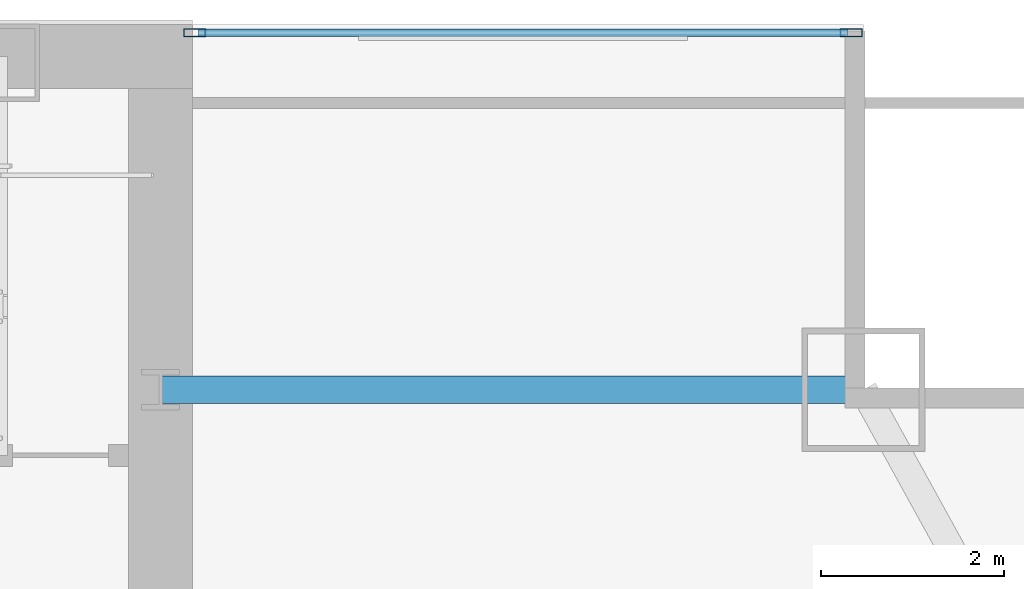
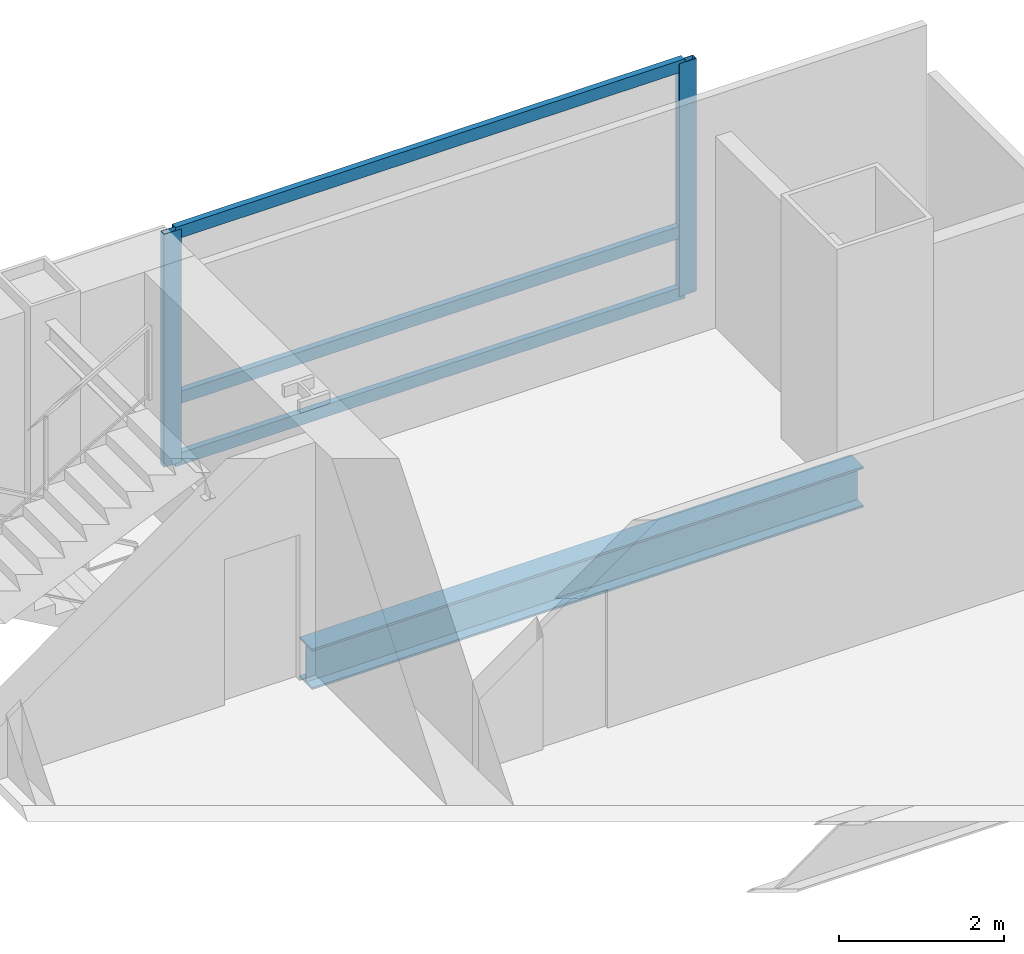
# One storey, part 20 of 29: 5 members, 1 beam, 1 element without a shape of its own.
"""IFC4 building model written with IfcOpenShell, lengths in metres."""

from ifc_helpers import new_model, si_unit, direction, frame, origin, origin_2d, place, context, subcontext, project, spatial, hollow_rectangle, i_section, extrude, material, material_profile, profile_set, type_object, element, aggregate, save


model = new_model("IFC4")

# Units and contexts
model_context = context("Model", 3, precision=1e-05, world=origin(), true_north=direction((0.0, 1.0)))
body_context = subcontext(model_context, "Body", "Model", "MODEL_VIEW")
ifc_project = project(units=[si_unit("LENGTHUNIT", "METRE"), si_unit("AREAUNIT", "SQUARE_METRE"), si_unit("VOLUMEUNIT", "CUBIC_METRE"), si_unit("PLANEANGLEUNIT", "RADIAN"), si_unit("MASSUNIT", "GRAM", prefix="KILO")], contexts=[model_context])

# Site, building, storey
site_placement = place(None, origin())
site = spatial("IfcSite", under=ifc_project, at=site_placement, CompositionType="ELEMENT")
building_placement = place(site_placement, origin())
building = spatial("IfcBuilding", under=site, at=building_placement, Name="Khoronbel Lancet Exchange", CompositionType="ELEMENT")
storey_placement = place(building_placement, frame((0.0, 0.0, 165.0)))
storey = spatial("IfcBuildingStorey", under=building, at=storey_placement, Name="L41", CompositionType="ELEMENT", Elevation=165.0)

# Beam
ifc_material_1 = material(Name="Steel S355", Category="steel")
ifc_material_profile_1 = material_profile(ifc_material_1, i_section(OverallWidth=0.300048828125, OverallDepth=0.60009765625, WebThickness=0.015380859375, FlangeThickness=0.030029296875, at=origin_2d()), Name="HEB 600")
ifc_profile_set_1 = profile_set([ifc_material_profile_1], Name="Steel S355")
beam_type = type_object("IfcBeamType", Name="BM-BSP2", PredefinedType="SPANDREL", material=ifc_profile_set_1)
beam_placement = place(storey_placement, frame((64.050048828125, 49.699951171875, -0.4599609375), z_axis=(-1.0, 0.0, 0.0), x_axis=(0.0, -1.0, 0.0)))
element("IfcBeam", 1, at=beam_placement, inside=storey, type_object=beam_type, Name="Level L41 north flank tie spandrel SP23", PredefinedType="SPANDREL", context=body_context, shape_type="SweptSolid", body=[
    extrude(i_section(OverallWidth=0.300048828125, OverallDepth=0.60009765625, WebThickness=0.015380859375, FlangeThickness=0.030029296875, at=origin_2d()), origin(), (0.0, 0.0, 1.0), 7.699951171875),
])

# Curtain wall, members
ifc_material_2 = material(Name="Low-E Solar Control Insulating Glass", Category="glass")
curtain_wall_type = type_object("IfcCurtainWallType", Name="CW-3", PredefinedType="NOTDEFINED", material=ifc_material_2)
curtain_wall_placement = place(storey_placement, origin())
curtain_wall = element("IfcCurtainWall", 2, at=curtain_wall_placement, inside=storey, type_object=curtain_wall_type, Name="Unitised curtain wall CW-L41-NEFLK", PredefinedType="NOTDEFINED")
ifc_material_3 = material(Name="Bronze-Anodised Aluminium 6063-T6", Category="aluminium")
ifc_material_profile_2 = material_profile(ifc_material_3, hollow_rectangle(XDim=0.0849609375, YDim=0.239990234375, WallThickness=0.006103515625, at=origin_2d()), Name="ALU MULLION 85x240")
ifc_profile_set_2 = profile_set([ifc_material_profile_2], Name="Bronze-Anodised Aluminium 6063-T6")
member_type_1 = type_object("IfcMemberType", Name="MEM-CWM1", PredefinedType="MULLION", material=ifc_profile_set_2)
member_1_placement = place(storey_placement, frame((63.91748046875, 53.610107421875, 0.0), z_axis=(0.0, 0.0, 1.0), x_axis=(0.0, -1.0, 0.0)))
member_1 = element("IfcMember", 3, at=member_1_placement, type_object=member_type_1, Name="CW3 mullion 1", PredefinedType="MULLION", context=body_context, shape_type="SweptSolid", body=[
    extrude(hollow_rectangle(XDim=0.0849609375, YDim=0.239990234375, WallThickness=0.006103515625, at=origin_2d()), origin(), (0.0, 0.0, 1.0), 3.43994140625),
])
member_2_placement = place(storey_placement, frame((56.722412109375, 53.610107421875, 0.0), z_axis=(0.0, 0.0, 1.0), x_axis=(0.0, -1.0, 0.0)))
member_2 = element("IfcMember", 4, at=member_2_placement, type_object=member_type_1, Name="CW3 mullion 2", PredefinedType="MULLION", context=body_context, shape_type="SweptSolid", body=[
    extrude(hollow_rectangle(XDim=0.0849609375, YDim=0.239990234375, WallThickness=0.006103515625, at=origin_2d()), origin(), (0.0, 0.0, 1.0), 3.43994140625),
])
ifc_material_profile_3 = material_profile(ifc_material_3, hollow_rectangle(XDim=0.0849609375, YDim=0.179931640625, WallThickness=0.0048828125, at=origin_2d()), Name="ALU TRANSOM 85x180")
ifc_profile_set_3 = profile_set([ifc_material_profile_3], Name="Bronze-Anodised Aluminium 6063-T6")
member_type_2 = type_object("IfcMemberType", Name="MEM-CWT1", PredefinedType="USERDEFINED", material=ifc_profile_set_3)
member_3_placement = place(storey_placement, frame((63.875, 53.610107421875, 0.04248046875), z_axis=(-1.0, 0.0, 0.0), x_axis=(0.0, -1.0, 0.0)))
member_3 = element("IfcMember", 5, at=member_3_placement, type_object=member_type_2, Name="CW3 transom 1.1", ObjectType="TRANSOM", PredefinedType="USERDEFINED", context=body_context, shape_type="SweptSolid", body=[
    extrude(hollow_rectangle(XDim=0.0849609375, YDim=0.179931640625, WallThickness=0.0048828125, at=origin_2d()), origin(), (0.0, 0.0, 1.0), 7.110107421875),
])
member_4_placement = place(storey_placement, frame((63.875, 53.610107421875, 0.949951171875), z_axis=(-1.0, 0.0, 0.0), x_axis=(0.0, -1.0, 0.0)))
member_4 = element("IfcMember", 6, at=member_4_placement, type_object=member_type_2, Name="CW3 transom 1.2", ObjectType="TRANSOM", PredefinedType="USERDEFINED", context=body_context, shape_type="SweptSolid", body=[
    extrude(hollow_rectangle(XDim=0.0849609375, YDim=0.179931640625, WallThickness=0.0048828125, at=origin_2d()), origin(), (0.0, 0.0, 1.0), 7.110107421875),
])
member_5_placement = place(storey_placement, frame((63.875, 53.610107421875, 3.3974609375), z_axis=(-1.0, 0.0, 0.0), x_axis=(0.0, -1.0, 0.0)))
member_5 = element("IfcMember", 7, at=member_5_placement, type_object=member_type_2, Name="CW3 transom 1.3", ObjectType="TRANSOM", PredefinedType="USERDEFINED", context=body_context, shape_type="SweptSolid", body=[
    extrude(hollow_rectangle(XDim=0.0849609375, YDim=0.179931640625, WallThickness=0.0048828125, at=origin_2d()), origin(), (0.0, 0.0, 1.0), 7.110107421875),
])
aggregate(curtain_wall, [member_1, member_2, member_3, member_4, member_5])

save(model, "model.ifc")
